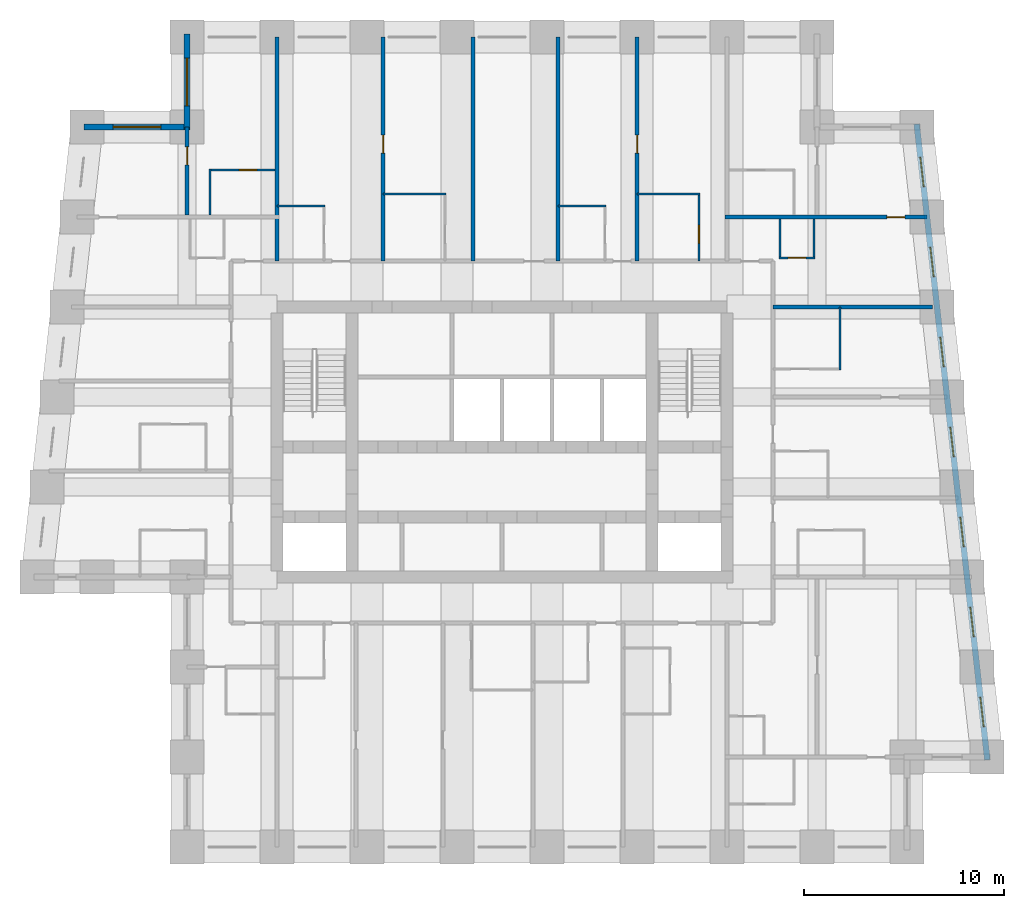
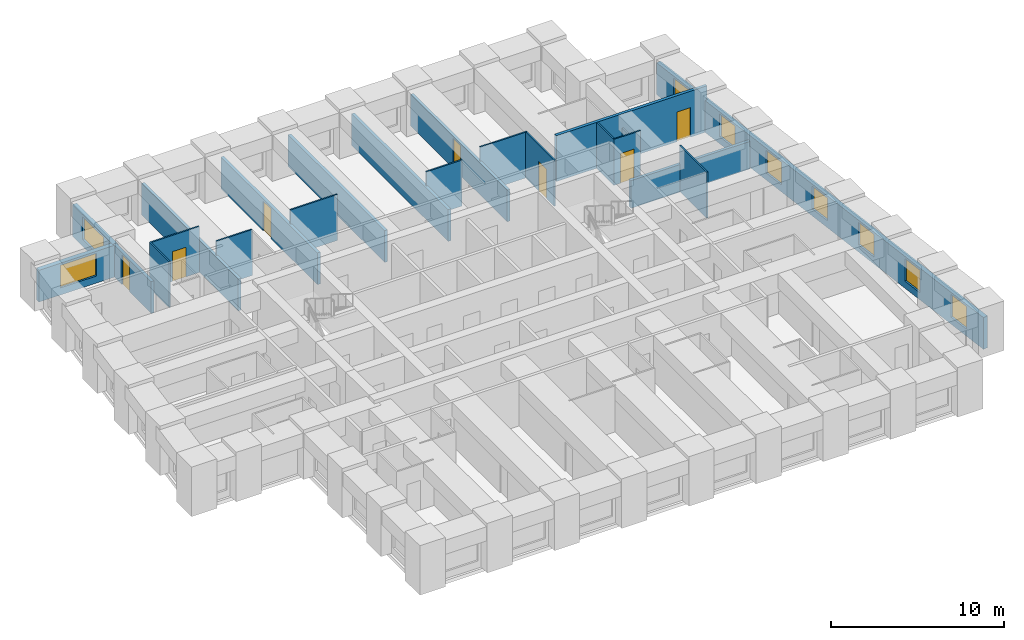
# One storey, part 6 of 8: 22 walls, 9 windows, 7 doors, 16 openings.
"""IFC4 building model written with IfcOpenShell, lengths in metres."""

from ifc_helpers import new_model, si_unit, direction, frame, frame_2d, origin, place, context, subcontext, project, spatial, rectangle, extrude, material, layer, layer_set, type_object, element, fill, save


model = new_model("IFC4")

# Units and contexts
model_context = context("Model", 3, precision=1e-05, world=origin(), true_north=direction((0.0, 1.0)))
body_context = subcontext(model_context, "Body", "Model", "MODEL_VIEW")
ifc_project = project(units=[si_unit("LENGTHUNIT", "METRE"), si_unit("AREAUNIT", "SQUARE_METRE"), si_unit("VOLUMEUNIT", "CUBIC_METRE"), si_unit("PLANEANGLEUNIT", "RADIAN"), si_unit("MASSUNIT", "GRAM", prefix="KILO")], contexts=[model_context])

# Site, building, storey
site_placement = place(None, origin())
site = spatial("IfcSite", under=ifc_project, at=site_placement, CompositionType="ELEMENT")
building_placement = place(site_placement, origin())
building = spatial("IfcBuilding", under=site, at=building_placement, Name="Kilele Tower Hotel", CompositionType="ELEMENT")
storey_placement = place(building_placement, frame((0.0, 0.0, 200.89990234375)))
storey = spatial("IfcBuildingStorey", under=building, at=storey_placement, Name="L52", CompositionType="ELEMENT", Elevation=200.89990234375)

# Walls
ifc_material_1 = material(Name="Moisture-resistant board")
ifc_layer_1 = layer(ifc_material_1, 0.10009765625)
ifc_layer_set_1 = layer_set([ifc_layer_1], Name="Moisture-resistant board")
wall_type_1 = type_object("IfcWallType", Name="Bathroom partition 100", PredefinedType="PLUMBINGWALL", material=ifc_layer_set_1)
wall_1_placement = place(storey_placement, frame((41.64990234375, 23.85009765625, 0.0), z_axis=(0.0, 0.0, 1.0), x_axis=(0.0, 1.0, 0.0)))
element("IfcWall", 1, at=wall_1_placement, inside=storey, type_object=wall_type_1, Name="Bathroom partition 100 L52", PredefinedType="PLUMBINGWALL", context=body_context, shape_type="SweptSolid", body=[
    extrude(rectangle(XDim=3.14990234375, YDim=0.10009765625, at=frame_2d((1.574951171875, 0.0))), origin(), (0.0, 0.0, 1.0), 3.25),
])
wall_2_placement = place(storey_placement, frame((13.5, 32.050048828125, 0.0), z_axis=(0.0, 0.0, 1.0), x_axis=(1.0, 0.0, 0.0)))
element("IfcWall", 2, at=wall_2_placement, inside=storey, type_object=wall_type_1, Name="Bathroom partition 100 L52", PredefinedType="PLUMBINGWALL", context=body_context, shape_type="SweptSolid", body=[
    extrude(rectangle(XDim=2.39990234375, YDim=0.10009765625, at=frame_2d((1.199951171875, 0.0))), origin(), (0.0, 0.0, 1.0), 3.25),
])
wall_3_placement = place(storey_placement, frame((18.800048828125, 32.64990234375, 0.0), z_axis=(0.0, 0.0, 1.0), x_axis=(1.0, 0.0, 0.0)))
element("IfcWall", 3, at=wall_3_placement, inside=storey, type_object=wall_type_1, Name="Bathroom partition 100 L52", PredefinedType="PLUMBINGWALL", context=body_context, shape_type="SweptSolid", body=[
    extrude(rectangle(XDim=3.14990234375, YDim=0.10009765625, at=frame_2d((1.574951171875, 0.0))), origin(), (0.0, 0.0, 1.0), 3.25),
])
wall_4_placement = place(storey_placement, frame((27.550048828125, 32.050048828125, 0.0), z_axis=(0.0, 0.0, 1.0), x_axis=(1.0, 0.0, 0.0)))
element("IfcWall", 4, at=wall_4_placement, inside=storey, type_object=wall_type_1, Name="Bathroom partition 100 L52", PredefinedType="PLUMBINGWALL", context=body_context, shape_type="SweptSolid", body=[
    extrude(rectangle(XDim=2.39990234375, YDim=0.10009765625, at=frame_2d((1.199951171875, 0.0))), origin(), (0.0, 0.0, 1.0), 3.25),
])
wall_5_placement = place(storey_placement, frame((31.5, 32.64990234375, 0.0), z_axis=(0.0, 0.0, 1.0), x_axis=(1.0, 0.0, 0.0)))
element("IfcWall", 5, at=wall_5_placement, inside=storey, type_object=wall_type_1, Name="Bathroom partition 100 L52", PredefinedType="PLUMBINGWALL", context=body_context, shape_type="SweptSolid", body=[
    extrude(rectangle(XDim=3.14990234375, YDim=0.10009765625, at=frame_2d((1.574951171875, 0.0))), origin(), (0.0, 0.0, 1.0), 3.25),
])

# Wall, opening, door
wall_6_placement = place(storey_placement, frame((34.60009765625, 29.300048828125, 0.0), z_axis=(0.0, 0.0, 1.0), x_axis=(0.0, 1.0, 0.0)))
wall_6 = element("IfcWall", 6, at=wall_6_placement, inside=storey, type_object=wall_type_1, Name="Bathroom partition 100 L52", PredefinedType="PLUMBINGWALL", context=body_context, shape_type="SweptSolid", body=[
    extrude(rectangle(XDim=3.39990234375, YDim=0.10009765625, at=frame_2d((1.699951171875, 0.0))), origin(), (0.0, 0.0, 1.0), 3.25),
])
opening_1_placement = place(wall_6_placement, frame((1.7998046875, 0.0, 0.0), z_axis=(0.0, 0.0, 1.0), x_axis=(-1.0, 0.0, 0.0)))
opening_1 = element("IfcOpeningElement", 7, at=opening_1_placement, cuts=wall_6, Name="Opening D2A", PredefinedType="OPENING", context=body_context, shape_type="SweptSolid", body=[
    extrude(rectangle(XDim=0.89990234375, YDim=2.10009765625, at=frame_2d((0.449951171875, 1.050048828125))), frame((0.0, 0.06005859375, 0.0), z_axis=(0.0, -1.0, 0.0), x_axis=(1.0, 0.0, 0.0)), (0.0, 0.0, 1.0), 0.1201171875),
])
ifc_material_2 = material(Name="Timber door leaf in hardwood frame", Category="wood")
door_type_1 = type_object("IfcDoorType", Name="Bathroom door 900", OperationType="SINGLE_SWING_LEFT", PredefinedType="DOOR", material=ifc_material_2)
door_1_placement = place(opening_1_placement, origin())
door_1 = element("IfcDoor", 8, at=door_1_placement, inside=storey, type_object=door_type_1, Name="Bathroom door 5213B", OperationType="SINGLE_SWING_RIGHT", OverallHeight=2.10009765625, OverallWidth=0.89990234375, PredefinedType="DOOR", context=body_context, shape_type="SweptSolid", body=[
    extrude(rectangle(XDim=0.89990234375, YDim=2.10009765625, at=frame_2d((0.449951171875, 1.050048828125))), frame((0.0, 0.02490234375, 0.0), z_axis=(0.0, -1.0, 0.0), x_axis=(1.0, 0.0, 0.0)), (0.0, 0.0, 1.0), 0.050048828125),
])
fill(opening_1, door_1)

# Walls
wall_7_placement = place(storey_placement, frame((40.35009765625, 31.39990234375, 0.0), z_axis=(0.0, 0.0, 1.0), x_axis=(0.0, -1.0, 0.0)))
element("IfcWall", 9, at=wall_7_placement, inside=storey, type_object=wall_type_1, Name="Bathroom partition 100 L52", PredefinedType="PLUMBINGWALL", context=body_context, shape_type="SweptSolid", body=[
    extrude(rectangle(XDim=2.0, YDim=0.10009765625, at=frame_2d((1.0, 0.0))), origin(), (0.0, 0.0, 1.0), 2.25),
])
wall_8_placement = place(storey_placement, frame((38.64990234375, 31.39990234375, 0.0), z_axis=(0.0, 0.0, 1.0), x_axis=(0.0, -1.0, 0.0)))
element("IfcWall", 10, at=wall_8_placement, inside=storey, type_object=wall_type_1, Name="Bathroom partition 100 L52", PredefinedType="PLUMBINGWALL", context=body_context, shape_type="SweptSolid", body=[
    extrude(rectangle(XDim=2.0, YDim=0.10009765625, at=frame_2d((1.0, 0.0))), origin(), (0.0, 0.0, 1.0), 3.25),
])

# Wall, opening, door
wall_9_placement = place(storey_placement, frame((38.60009765625, 29.449951171875, 0.0), z_axis=(0.0, 0.0, 1.0), x_axis=(1.0, 0.0, 0.0)))
wall_9 = element("IfcWall", 11, at=wall_9_placement, inside=storey, type_object=wall_type_1, Name="Bathroom partition 100 L52", PredefinedType="PLUMBINGWALL", context=body_context, shape_type="SweptSolid", body=[
    extrude(rectangle(XDim=1.7998046875, YDim=0.10009765625, at=frame_2d((0.89990234375, 0.0))), origin(), (0.0, 0.0, 1.0), 3.25),
])
opening_2_placement = place(wall_9_placement, frame((1.349853515625, 0.0, 0.0), z_axis=(0.0, 0.0, 1.0), x_axis=(-1.0, 0.0, 0.0)))
opening_2 = element("IfcOpeningElement", 12, at=opening_2_placement, cuts=wall_9, Name="Opening D2A", PredefinedType="OPENING", context=body_context, shape_type="SweptSolid", body=[
    extrude(rectangle(XDim=0.89990234375, YDim=2.10009765625, at=frame_2d((0.449951171875, 1.050048828125))), frame((0.0, 0.06005859375, 0.0), z_axis=(0.0, -1.0, 0.0), x_axis=(1.0, 0.0, 0.0)), (0.0, 0.0, 1.0), 0.1201171875),
])
door_2_placement = place(opening_2_placement, origin())
door_2 = element("IfcDoor", 13, at=door_2_placement, inside=storey, type_object=door_type_1, Name="Bathroom door 5222P", OperationType="SINGLE_SWING_RIGHT", OverallHeight=2.10009765625, OverallWidth=0.89990234375, PredefinedType="DOOR", context=body_context, shape_type="SweptSolid", body=[
    extrude(rectangle(XDim=0.89990234375, YDim=2.10009765625, at=frame_2d((0.449951171875, 1.050048828125))), frame((0.0, 0.02490234375, 0.0), z_axis=(0.0, -1.0, 0.0), x_axis=(1.0, 0.0, 0.0)), (0.0, 0.0, 1.0), 0.050048828125),
])
fill(opening_2, door_2)

# Wall
wall_10_placement = place(storey_placement, frame((10.14990234375, 31.60009765625, 0.0), z_axis=(0.0, 0.0, 1.0), x_axis=(0.0, 1.0, 0.0)))
element("IfcWall", 14, at=wall_10_placement, inside=storey, type_object=wall_type_1, Name="Bathroom partition 100 L52", PredefinedType="PLUMBINGWALL", context=body_context, shape_type="SweptSolid", body=[
    extrude(rectangle(XDim=2.2998046875, YDim=0.10009765625, at=frame_2d((1.14990234375, 0.0))), origin(), (0.0, 0.0, 1.0), 3.25),
])

# Wall, opening, door
wall_11_placement = place(storey_placement, frame((13.39990234375, 33.85009765625, 0.0), z_axis=(0.0, 0.0, 1.0), x_axis=(-1.0, 0.0, 0.0)))
wall_11 = element("IfcWall", 15, at=wall_11_placement, inside=storey, type_object=wall_type_1, Name="Bathroom partition 100 L52", PredefinedType="PLUMBINGWALL", context=body_context, shape_type="SweptSolid", body=[
    extrude(rectangle(XDim=3.2998046875, YDim=0.10009765625, at=frame_2d((1.64990234375, 0.0))), origin(), (0.0, 0.0, 1.0), 3.25),
])
opening_3_placement = place(wall_11_placement, frame((1.7998046875, 0.0, 0.0), z_axis=(0.0, 0.0, 1.0), x_axis=(-1.0, 0.0, 0.0)))
opening_3 = element("IfcOpeningElement", 16, at=opening_3_placement, cuts=wall_11, Name="Opening D2A", PredefinedType="OPENING", context=body_context, shape_type="SweptSolid", body=[
    extrude(rectangle(XDim=0.89990234375, YDim=2.10009765625, at=frame_2d((0.449951171875, 1.050048828125))), frame((0.0, 0.06005859375, 0.0), z_axis=(0.0, -1.0, 0.0), x_axis=(1.0, 0.0, 0.0)), (0.0, 0.0, 1.0), 0.1201171875),
])
door_3_placement = place(opening_3_placement, origin())
door_3 = element("IfcDoor", 17, at=door_3_placement, inside=storey, type_object=door_type_1, Name="Bathroom door 5226B", OperationType="SINGLE_SWING_RIGHT", OverallHeight=2.10009765625, OverallWidth=0.89990234375, PredefinedType="DOOR", context=body_context, shape_type="SweptSolid", body=[
    extrude(rectangle(XDim=0.89990234375, YDim=2.10009765625, at=frame_2d((0.449951171875, 1.050048828125))), frame((0.0, 0.02490234375, 0.0), z_axis=(0.0, -1.0, 0.0), x_axis=(1.0, 0.0, 0.0)), (0.0, 0.0, 1.0), 0.050048828125),
])
fill(opening_3, door_3)

ifc_material_3 = material(Name="Blockwork, plastered both sides", Category="masonry")
ifc_layer_2 = layer(ifc_material_3, 0.199951171875)
ifc_layer_set_2 = layer_set([ifc_layer_2], Name="Blockwork, plastered both sides")
wall_type_2 = type_object("IfcWallType", Name="Partition wall 200", PredefinedType="PARTITIONING", material=ifc_layer_set_2)
wall_12_placement = place(storey_placement, frame((9.0, 31.60009765625, 0.0), z_axis=(0.0, 0.0, 1.0), x_axis=(0.0, 1.0, 0.0)))
wall_12 = element("IfcWall", 18, at=wall_12_placement, inside=storey, type_object=wall_type_2, Name="Partition wall 200 L52", PredefinedType="PARTITIONING", context=body_context, shape_type="SweptSolid", body=[
    extrude(rectangle(XDim=4.39990234375, YDim=0.199951171875, at=frame_2d((2.199951171875, 0.0))), origin(), (0.0, 0.0, 1.0), 2.25),
])
opening_4_placement = place(wall_12_placement, frame((2.5, 0.0, 0.0)))
opening_4 = element("IfcOpeningElement", 19, at=opening_4_placement, cuts=wall_12, Name="Opening D3", PredefinedType="OPENING", context=body_context, shape_type="SweptSolid", body=[
    extrude(rectangle(XDim=0.89990234375, YDim=2.10009765625, at=frame_2d((0.449951171875, 1.050048828125))), frame((0.0, 0.10986328125, 0.0), z_axis=(0.0, -1.0, 0.0), x_axis=(1.0, 0.0, 0.0)), (0.0, 0.0, 1.0), 0.219970703125),
])
ifc_material_4 = material(Name="Timber door leaf in hardwood frame", Category="wood")
door_type_2 = type_object("IfcDoorType", Name="Suite internal door 900", OperationType="SINGLE_SWING_LEFT", PredefinedType="DOOR", material=ifc_material_4)
door_4_placement = place(opening_4_placement, origin())
door_4 = element("IfcDoor", 20, at=door_4_placement, inside=storey, type_object=door_type_2, Name="Suite door 5227", OperationType="SINGLE_SWING_RIGHT", OverallHeight=2.10009765625, OverallWidth=0.89990234375, PredefinedType="DOOR", context=body_context, shape_type="SweptSolid", body=[
    extrude(rectangle(XDim=0.89990234375, YDim=2.10009765625, at=frame_2d((0.449951171875, 1.050048828125))), frame((0.0, 0.02490234375, 0.0), z_axis=(0.0, -1.0, 0.0), x_axis=(1.0, 0.0, 0.0)), (0.0, 0.0, 1.0), 0.050048828125),
])
fill(opening_4, door_4)

ifc_material_5 = material(Name="Blockwork, plastered both sides", Category="masonry")
ifc_layer_3 = layer(ifc_material_5, 0.199951171875)
ifc_layer_set_3 = layer_set([ifc_layer_3], Name="Blockwork, plastered both sides")
wall_type_3 = type_object("IfcWallType", Name="Party wall 200", PredefinedType="PARTITIONING", material=ifc_layer_set_3)
wall_13_placement = place(storey_placement, frame((18.800048828125, 29.300048828125, 0.0), z_axis=(0.0, 0.0, 1.0), x_axis=(0.0, 1.0, 0.0)))
wall_13 = element("IfcWall", 21, at=wall_13_placement, inside=storey, type_object=wall_type_3, Name="Party wall 200 L52", PredefinedType="PARTITIONING", context=body_context, shape_type="SweptSolid", body=[
    extrude(rectangle(XDim=11.199951171875, YDim=0.199951171875, at=frame_2d((5.60009765625, 0.0))), origin(), (0.0, 0.0, 1.0), 2.25),
])
opening_5_placement = place(wall_13_placement, frame((5.39990234375, 0.0, 0.0)))
opening_5 = element("IfcOpeningElement", 22, at=opening_5_placement, cuts=wall_13, Name="Opening D3", PredefinedType="OPENING", context=body_context, shape_type="SweptSolid", body=[
    extrude(rectangle(XDim=0.89990234375, YDim=2.10009765625, at=frame_2d((0.449951171875, 1.050048828125))), frame((0.0, 0.10986328125, 0.0), z_axis=(0.0, -1.0, 0.0), x_axis=(1.0, 0.0, 0.0)), (0.0, 0.0, 1.0), 0.219970703125),
])
door_5_placement = place(opening_5_placement, origin())
door_5 = element("IfcDoor", 23, at=door_5_placement, inside=storey, type_object=door_type_2, Name="Suite door 5210", OperationType="SINGLE_SWING_RIGHT", OverallHeight=2.10009765625, OverallWidth=0.89990234375, PredefinedType="DOOR", context=body_context, shape_type="SweptSolid", body=[
    extrude(rectangle(XDim=0.89990234375, YDim=2.10009765625, at=frame_2d((0.449951171875, 1.050048828125))), frame((0.0, 0.02490234375, 0.0), z_axis=(0.0, -1.0, 0.0), x_axis=(1.0, 0.0, 0.0)), (0.0, 0.0, 1.0), 0.050048828125),
])
fill(opening_5, door_5)

# Walls
for number, where, z_axis, x_axis, name in (
    (24, (23.300048828125, 29.300048828125, 0.0), (0.0, 0.0, 1.0), (0.0, 1.0, 0.0), "Party wall 200 L52"),
    (25, (27.550048828125, 29.300048828125, 0.0), (0.0, 0.0, 1.0), (0.0, 1.0, 0.0), "Party wall 200 L52"),
):
    element("IfcWall", number, at=place(storey_placement, frame(where, z_axis=z_axis, x_axis=x_axis)), inside=storey, type_object=wall_type_3, Name=name, PredefinedType="PARTITIONING", context=body_context, shape_type="SweptSolid", body=[
        extrude(rectangle(XDim=11.199951171875, YDim=0.199951171875, at=frame_2d((5.60009765625, 0.0))), origin(), (0.0, 0.0, 1.0), 2.25),
    ])

# Wall, opening, door
wall_14_placement = place(storey_placement, frame((31.5, 29.300048828125, 0.0), z_axis=(0.0, 0.0, 1.0), x_axis=(0.0, 1.0, 0.0)))
wall_14 = element("IfcWall", 26, at=wall_14_placement, inside=storey, type_object=wall_type_3, Name="Party wall 200 L52", PredefinedType="PARTITIONING", context=body_context, shape_type="SweptSolid", body=[
    extrude(rectangle(XDim=11.199951171875, YDim=0.199951171875, at=frame_2d((5.60009765625, 0.0))), origin(), (0.0, 0.0, 1.0), 2.25),
])
opening_6_placement = place(wall_14_placement, frame((5.39990234375, 0.0, 0.0)))
opening_6 = element("IfcOpeningElement", 27, at=opening_6_placement, cuts=wall_14, Name="Opening D3", PredefinedType="OPENING", context=body_context, shape_type="SweptSolid", body=[
    extrude(rectangle(XDim=0.89990234375, YDim=2.10009765625, at=frame_2d((0.449951171875, 1.050048828125))), frame((0.0, 0.10986328125, 0.0), z_axis=(0.0, -1.0, 0.0), x_axis=(1.0, 0.0, 0.0)), (0.0, 0.0, 1.0), 0.219970703125),
])
door_6_placement = place(opening_6_placement, origin())
door_6 = element("IfcDoor", 28, at=door_6_placement, inside=storey, type_object=door_type_2, Name="Suite door 5213", OperationType="SINGLE_SWING_RIGHT", OverallHeight=2.10009765625, OverallWidth=0.89990234375, PredefinedType="DOOR", context=body_context, shape_type="SweptSolid", body=[
    extrude(rectangle(XDim=0.89990234375, YDim=2.10009765625, at=frame_2d((0.449951171875, 1.050048828125))), frame((0.0, 0.02490234375, 0.0), z_axis=(0.0, -1.0, 0.0), x_axis=(1.0, 0.0, 0.0)), (0.0, 0.0, 1.0), 0.050048828125),
])
fill(opening_6, door_6)

# Wall
wall_15_placement = place(storey_placement, frame((38.300048828125, 27.0, 0.0), z_axis=(0.0, 0.0, 1.0), x_axis=(1.0, 0.0, 0.0)))
element("IfcWall", 29, at=wall_15_placement, inside=storey, type_object=wall_type_3, Name="Party wall 200 L52", PredefinedType="PARTITIONING", context=body_context, shape_type="SweptSolid", body=[
    extrude(rectangle(XDim=7.976806640625, YDim=0.199951171875, at=frame_2d((3.98828125, 0.0))), origin(), (0.0, 0.0, 1.0), 1.9501953125),
])

# Wall, opening, door
wall_16_placement = place(storey_placement, frame((35.89990234375, 31.5, 0.0), z_axis=(0.0, 0.0, 1.0), x_axis=(1.0, 0.0, 0.0)))
wall_16 = element("IfcWall", 30, at=wall_16_placement, inside=storey, type_object=wall_type_3, Name="Party wall 200 L52", PredefinedType="PARTITIONING", context=body_context, shape_type="SweptSolid", body=[
    extrude(rectangle(XDim=10.09912109375, YDim=0.199951171875, at=frame_2d((5.049560546875, 0.0))), origin(), (0.0, 0.0, 1.0), 3.25),
])
opening_7_placement = place(wall_16_placement, frame((8.09912109375, 0.0, 0.0)))
opening_7 = element("IfcOpeningElement", 31, at=opening_7_placement, cuts=wall_16, Name="Opening D3", PredefinedType="OPENING", context=body_context, shape_type="SweptSolid", body=[
    extrude(rectangle(XDim=0.89990234375, YDim=2.10009765625, at=frame_2d((0.449951171875, 1.050048828125))), frame((0.0, 0.10986328125, 0.0), z_axis=(0.0, -1.0, 0.0), x_axis=(1.0, 0.0, 0.0)), (0.0, 0.0, 1.0), 0.219970703125),
])
door_7_placement = place(opening_7_placement, origin())
door_7 = element("IfcDoor", 32, at=door_7_placement, inside=storey, type_object=door_type_2, Name="Suite door 5223", OperationType="SINGLE_SWING_RIGHT", OverallHeight=2.10009765625, OverallWidth=0.89990234375, PredefinedType="DOOR", context=body_context, shape_type="SweptSolid", body=[
    extrude(rectangle(XDim=0.89990234375, YDim=2.10009765625, at=frame_2d((0.449951171875, 1.050048828125))), frame((0.0, 0.02490234375, 0.0), z_axis=(0.0, -1.0, 0.0), x_axis=(1.0, 0.0, 0.0)), (0.0, 0.0, 1.0), 0.050048828125),
])
fill(opening_7, door_7)

# Wall
wall_17_placement = place(storey_placement, frame((13.5, 29.300048828125, 0.0), z_axis=(0.0, 0.0, 1.0), x_axis=(0.0, 1.0, 0.0)))
element("IfcWall", 33, at=wall_17_placement, inside=storey, type_object=wall_type_3, Name="Party wall 200 L52", PredefinedType="PARTITIONING", context=body_context, shape_type="SweptSolid", body=[
    extrude(rectangle(XDim=11.199951171875, YDim=0.199951171875, at=frame_2d((5.60009765625, 0.0))), origin(), (0.0, 0.0, 1.0), 2.25),
])

# Wall, openings, windows
ifc_material_6 = material(Name="Concrete C40/50 precast", Category="concrete")
ifc_layer_4 = layer(ifc_material_6, 0.260009765625, Name="Precast backing", Category="LoadBearing")
ifc_material_7 = material(Name="Reconstituted stone finish", Category="masonry")
ifc_layer_5 = layer(ifc_material_7, 0.0400390625, Name="Face mix", Category="Finish")
ifc_layer_set_4 = layer_set([ifc_layer_4, ifc_layer_5], Name="Precast concrete C40/50, reconstituted stone finish")
wall_type_4 = type_object("IfcWallType", Name="Precast stone facade wall 300", PredefinedType="STANDARD", material=ifc_layer_set_4)
wall_18_placement = place(storey_placement, frame((49.0166015625, 4.350830078125, 0.0), z_axis=(0.0, 0.0, 1.0), x_axis=(-0.110433201132, 0.993883548555, 0.0)))
wall_18 = element("IfcWall", 34, at=wall_18_placement, inside=storey, type_object=wall_type_4, Name="Facade wall L52 edge 6", PredefinedType="STANDARD", context=body_context, shape_type="SweptSolid", body=[
    extrude(rectangle(XDim=31.994140625, YDim=0.300048828125, at=frame_2d((15.9970703125, 0.0))), origin(), (0.0, 0.0, 1.0), 2.25),
])
opening_8_placement = place(wall_18_placement, frame((1.6640625, 0.0, 0.5)))
opening_8 = element("IfcOpeningElement", 35, at=opening_8_placement, cuts=wall_18, Name="Opening W3", PredefinedType="OPENING", context=body_context, shape_type="SweptSolid", body=[
    extrude(rectangle(XDim=1.5, YDim=1.60009765625, at=frame_2d((0.75, 0.800048828125))), frame((0.0, 0.159912109375, 0.0), z_axis=(0.0, -1.0, 0.0), x_axis=(1.0, 0.0, 0.0)), (0.0, 0.0, 1.0), 0.320068359375),
])
opening_9_placement = place(wall_18_placement, frame((6.19189453125, 0.0, 0.5)))
opening_9 = element("IfcOpeningElement", 36, at=opening_9_placement, cuts=wall_18, Name="Opening W3", PredefinedType="OPENING", context=body_context, shape_type="SweptSolid", body=[
    extrude(rectangle(XDim=1.5, YDim=1.60009765625, at=frame_2d((0.75, 0.800048828125))), frame((0.0, 0.159912109375, 0.0), z_axis=(0.0, -1.0, 0.0), x_axis=(1.0, 0.0, 0.0)), (0.0, 0.0, 1.0), 0.320068359375),
])
opening_10_placement = place(wall_18_placement, frame((10.718994140625, 0.0, 0.5)))
opening_10 = element("IfcOpeningElement", 37, at=opening_10_placement, cuts=wall_18, Name="Opening W3", PredefinedType="OPENING", context=body_context, shape_type="SweptSolid", body=[
    extrude(rectangle(XDim=1.5, YDim=1.60009765625, at=frame_2d((0.75, 0.800048828125))), frame((0.0, 0.159912109375, 0.0), z_axis=(0.0, -1.0, 0.0), x_axis=(1.0, 0.0, 0.0)), (0.0, 0.0, 1.0), 0.320068359375),
])
opening_11_placement = place(wall_18_placement, frame((15.2470703125, 0.0, 0.5)))
opening_11 = element("IfcOpeningElement", 38, at=opening_11_placement, cuts=wall_18, Name="Opening W3", PredefinedType="OPENING", context=body_context, shape_type="SweptSolid", body=[
    extrude(rectangle(XDim=1.5, YDim=1.60009765625, at=frame_2d((0.75, 0.800048828125))), frame((0.0, 0.159912109375, 0.0), z_axis=(0.0, -1.0, 0.0), x_axis=(1.0, 0.0, 0.0)), (0.0, 0.0, 1.0), 0.320068359375),
])
opening_12_placement = place(wall_18_placement, frame((19.77490234375, 0.0, 0.5)))
opening_12 = element("IfcOpeningElement", 39, at=opening_12_placement, cuts=wall_18, Name="Opening W3", PredefinedType="OPENING", context=body_context, shape_type="SweptSolid", body=[
    extrude(rectangle(XDim=1.5, YDim=1.60009765625, at=frame_2d((0.75, 0.800048828125))), frame((0.0, 0.159912109375, 0.0), z_axis=(0.0, -1.0, 0.0), x_axis=(1.0, 0.0, 0.0)), (0.0, 0.0, 1.0), 0.320068359375),
])
opening_13_placement = place(wall_18_placement, frame((24.302001953125, 0.0, 0.5)))
opening_13 = element("IfcOpeningElement", 40, at=opening_13_placement, cuts=wall_18, Name="Opening W3", PredefinedType="OPENING", context=body_context, shape_type="SweptSolid", body=[
    extrude(rectangle(XDim=1.5, YDim=1.60009765625, at=frame_2d((0.75, 0.800048828125))), frame((0.0, 0.159912109375, 0.0), z_axis=(0.0, -1.0, 0.0), x_axis=(1.0, 0.0, 0.0)), (0.0, 0.0, 1.0), 0.320068359375),
])
opening_14_placement = place(wall_18_placement, frame((28.830078125, 0.0, 0.5)))
opening_14 = element("IfcOpeningElement", 41, at=opening_14_placement, cuts=wall_18, Name="Opening W3", PredefinedType="OPENING", context=body_context, shape_type="SweptSolid", body=[
    extrude(rectangle(XDim=1.5, YDim=1.60009765625, at=frame_2d((0.75, 0.800048828125))), frame((0.0, 0.159912109375, 0.0), z_axis=(0.0, -1.0, 0.0), x_axis=(1.0, 0.0, 0.0)), (0.0, 0.0, 1.0), 0.320068359375),
])
ifc_material_8 = material(Name="Aluminium frame, clear double glazing", Category="aluminium")
window_type_1 = type_object("IfcWindowType", Name="Window W3 1500 x 1600", PartitioningType="SINGLE_PANEL", PredefinedType="WINDOW", material=ifc_material_8)
window_1_placement = place(opening_8_placement, origin())
window_1 = element("IfcWindow", 42, at=window_1_placement, inside=storey, type_object=window_type_1, Name="Window L52", OverallHeight=1.60009765625, OverallWidth=1.5, PartitioningType="SINGLE_PANEL", PredefinedType="WINDOW", context=body_context, shape_type="SweptSolid", body=[
    extrude(rectangle(XDim=1.5, YDim=1.60009765625, at=frame_2d((0.75, 0.800048828125))), frame((0.0, 0.030029296875, 0.0), z_axis=(0.0, -1.0, 0.0), x_axis=(1.0, 0.0, 0.0)), (0.0, 0.0, 1.0), 0.06005859375),
])
fill(opening_8, window_1)
window_2_placement = place(opening_9_placement, origin())
window_2 = element("IfcWindow", 43, at=window_2_placement, inside=storey, type_object=window_type_1, Name="Window L52", OverallHeight=1.60009765625, OverallWidth=1.5, PartitioningType="SINGLE_PANEL", PredefinedType="WINDOW", context=body_context, shape_type="SweptSolid", body=[
    extrude(rectangle(XDim=1.5, YDim=1.60009765625, at=frame_2d((0.75, 0.800048828125))), frame((0.0, 0.030029296875, 0.0), z_axis=(0.0, -1.0, 0.0), x_axis=(1.0, 0.0, 0.0)), (0.0, 0.0, 1.0), 0.06005859375),
])
fill(opening_9, window_2)
window_3_placement = place(opening_10_placement, origin())
window_3 = element("IfcWindow", 44, at=window_3_placement, inside=storey, type_object=window_type_1, Name="Window L52", OverallHeight=1.60009765625, OverallWidth=1.5, PartitioningType="SINGLE_PANEL", PredefinedType="WINDOW", context=body_context, shape_type="SweptSolid", body=[
    extrude(rectangle(XDim=1.5, YDim=1.60009765625, at=frame_2d((0.75, 0.800048828125))), frame((0.0, 0.030029296875, 0.0), z_axis=(0.0, -1.0, 0.0), x_axis=(1.0, 0.0, 0.0)), (0.0, 0.0, 1.0), 0.06005859375),
])
fill(opening_10, window_3)
window_4_placement = place(opening_11_placement, origin())
window_4 = element("IfcWindow", 45, at=window_4_placement, inside=storey, type_object=window_type_1, Name="Window L52", OverallHeight=1.60009765625, OverallWidth=1.5, PartitioningType="SINGLE_PANEL", PredefinedType="WINDOW", context=body_context, shape_type="SweptSolid", body=[
    extrude(rectangle(XDim=1.5, YDim=1.60009765625, at=frame_2d((0.75, 0.800048828125))), frame((0.0, 0.030029296875, 0.0), z_axis=(0.0, -1.0, 0.0), x_axis=(1.0, 0.0, 0.0)), (0.0, 0.0, 1.0), 0.06005859375),
])
fill(opening_11, window_4)
window_5_placement = place(opening_12_placement, origin())
window_5 = element("IfcWindow", 46, at=window_5_placement, inside=storey, type_object=window_type_1, Name="Window L52", OverallHeight=1.60009765625, OverallWidth=1.5, PartitioningType="SINGLE_PANEL", PredefinedType="WINDOW", context=body_context, shape_type="SweptSolid", body=[
    extrude(rectangle(XDim=1.5, YDim=1.60009765625, at=frame_2d((0.75, 0.800048828125))), frame((0.0, 0.030029296875, 0.0), z_axis=(0.0, -1.0, 0.0), x_axis=(1.0, 0.0, 0.0)), (0.0, 0.0, 1.0), 0.06005859375),
])
fill(opening_12, window_5)
window_6_placement = place(opening_13_placement, origin())
window_6 = element("IfcWindow", 47, at=window_6_placement, inside=storey, type_object=window_type_1, Name="Window L52", OverallHeight=1.60009765625, OverallWidth=1.5, PartitioningType="SINGLE_PANEL", PredefinedType="WINDOW", context=body_context, shape_type="SweptSolid", body=[
    extrude(rectangle(XDim=1.5, YDim=1.60009765625, at=frame_2d((0.75, 0.800048828125))), frame((0.0, 0.030029296875, 0.0), z_axis=(0.0, -1.0, 0.0), x_axis=(1.0, 0.0, 0.0)), (0.0, 0.0, 1.0), 0.06005859375),
])
fill(opening_13, window_6)
window_7_placement = place(opening_14_placement, origin())
window_7 = element("IfcWindow", 48, at=window_7_placement, inside=storey, type_object=window_type_1, Name="Window L52", OverallHeight=1.60009765625, OverallWidth=1.5, PartitioningType="SINGLE_PANEL", PredefinedType="WINDOW", context=body_context, shape_type="SweptSolid", body=[
    extrude(rectangle(XDim=1.5, YDim=1.60009765625, at=frame_2d((0.75, 0.800048828125))), frame((0.0, 0.030029296875, 0.0), z_axis=(0.0, -1.0, 0.0), x_axis=(1.0, 0.0, 0.0)), (0.0, 0.0, 1.0), 0.06005859375),
])
fill(opening_14, window_7)

# Wall, opening, window
wall_19_placement = place(storey_placement, frame((9.0, 40.64990234375, 0.0), z_axis=(0.0, 0.0, 1.0), x_axis=(0.0, -1.0, 0.0)))
wall_19 = element("IfcWall", 49, at=wall_19_placement, inside=storey, type_object=wall_type_4, Name="Facade wall L52 edge 10", PredefinedType="STANDARD", context=body_context, shape_type="SweptSolid", body=[
    extrude(rectangle(XDim=4.7998046875, YDim=0.300048828125, at=frame_2d((2.39990234375, 0.0))), origin(), (0.0, 0.0, 1.0), 2.25),
])
opening_15_placement = place(wall_19_placement, frame((1.199951171875, 0.0, 0.5)))
opening_15 = element("IfcOpeningElement", 50, at=opening_15_placement, cuts=wall_19, Name="Opening W3", PredefinedType="OPENING", context=body_context, shape_type="SweptSolid", body=[
    extrude(rectangle(XDim=2.39990234375, YDim=1.60009765625, at=frame_2d((1.199951171875, 0.800048828125))), frame((0.0, 0.159912109375, 0.0), z_axis=(0.0, -1.0, 0.0), x_axis=(1.0, 0.0, 0.0)), (0.0, 0.0, 1.0), 0.320068359375),
])
ifc_material_9 = material(Name="Aluminium frame, clear double glazing", Category="aluminium")
window_type_2 = type_object("IfcWindowType", Name="Window W3 2400 x 1600", PartitioningType="SINGLE_PANEL", PredefinedType="WINDOW", material=ifc_material_9)
window_8_placement = place(opening_15_placement, origin())
window_8 = element("IfcWindow", 51, at=window_8_placement, inside=storey, type_object=window_type_2, Name="Window L52", OverallHeight=1.60009765625, OverallWidth=2.39990234375, PartitioningType="SINGLE_PANEL", PredefinedType="WINDOW", context=body_context, shape_type="SweptSolid", body=[
    extrude(rectangle(XDim=2.39990234375, YDim=1.60009765625, at=frame_2d((1.199951171875, 0.800048828125))), frame((0.0, 0.030029296875, 0.0), z_axis=(0.0, -1.0, 0.0), x_axis=(1.0, 0.0, 0.0)), (0.0, 0.0, 1.0), 0.06005859375),
])
fill(opening_15, window_8)

wall_20_placement = place(storey_placement, frame((9.14990234375, 36.0, 0.0), z_axis=(0.0, 0.0, 1.0), x_axis=(-1.0, 0.0, 0.0)))
wall_20 = element("IfcWall", 52, at=wall_20_placement, inside=storey, type_object=wall_type_4, Name="Facade wall L52 edge 11", PredefinedType="STANDARD", context=body_context, shape_type="SweptSolid", body=[
    extrude(rectangle(XDim=5.2998046875, YDim=0.300048828125, at=frame_2d((2.64990234375, 0.0))), origin(), (0.0, 0.0, 1.0), 2.25),
])
opening_16_placement = place(wall_20_placement, frame((1.449951171875, 0.0, 0.5)))
opening_16 = element("IfcOpeningElement", 53, at=opening_16_placement, cuts=wall_20, Name="Opening W3", PredefinedType="OPENING", context=body_context, shape_type="SweptSolid", body=[
    extrude(rectangle(XDim=2.39990234375, YDim=1.60009765625, at=frame_2d((1.199951171875, 0.800048828125))), frame((0.0, 0.159912109375, 0.0), z_axis=(0.0, -1.0, 0.0), x_axis=(1.0, 0.0, 0.0)), (0.0, 0.0, 1.0), 0.320068359375),
])
window_9_placement = place(opening_16_placement, origin())
window_9 = element("IfcWindow", 54, at=window_9_placement, inside=storey, type_object=window_type_2, Name="Window L52", OverallHeight=1.60009765625, OverallWidth=2.39990234375, PartitioningType="SINGLE_PANEL", PredefinedType="WINDOW", context=body_context, shape_type="SweptSolid", body=[
    extrude(rectangle(XDim=2.39990234375, YDim=1.60009765625, at=frame_2d((1.199951171875, 0.800048828125))), frame((0.0, 0.030029296875, 0.0), z_axis=(0.0, -1.0, 0.0), x_axis=(1.0, 0.0, 0.0)), (0.0, 0.0, 1.0), 0.06005859375),
])
fill(opening_16, window_9)

save(model, "model.ifc")
